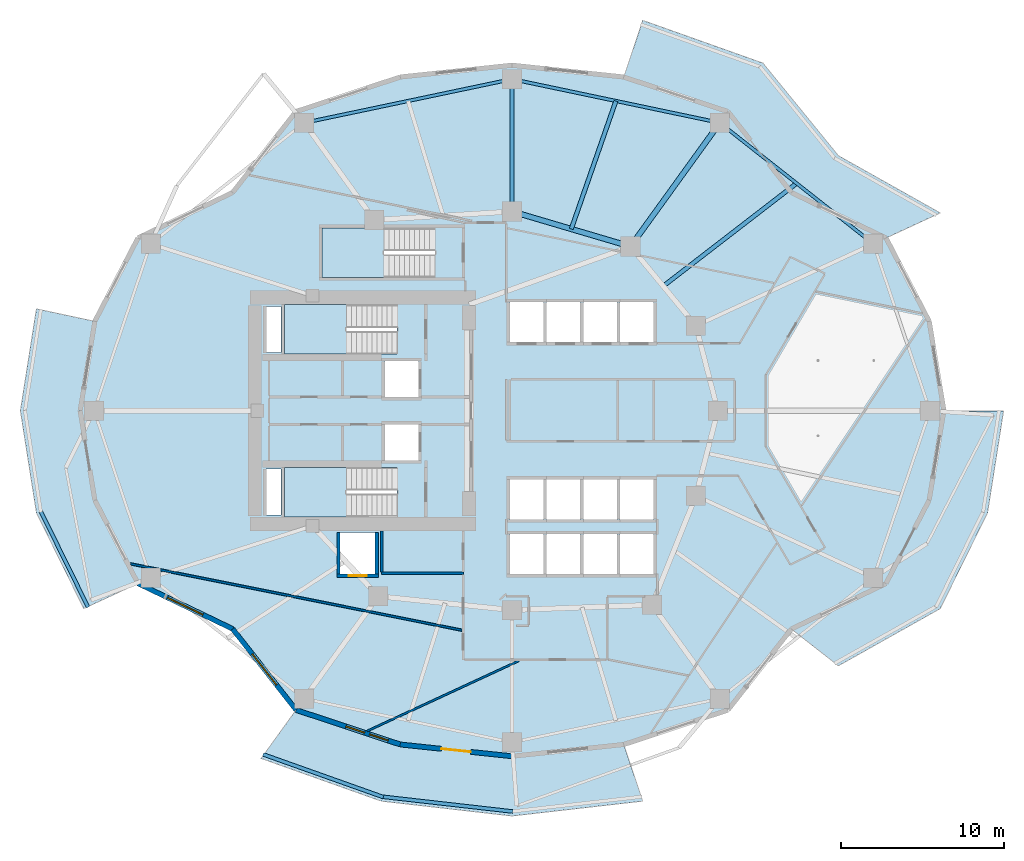
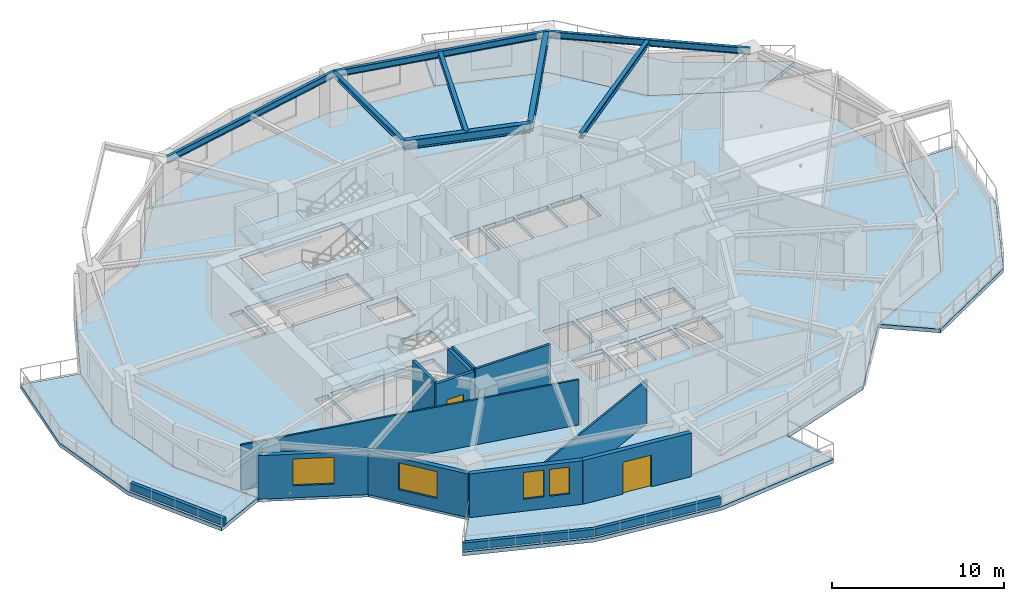
# One storey, part 2 of 14: 14 walls, 8 beams, 8 slabs, 4 windows, 2 doors, 6 openings, 3 elements without a shape of their own.
"""IFC4 building model written with IfcOpenShell, lengths in metres."""

from ifc_helpers import new_model, si_unit, direction, frame, frame_2d, origin, origin_2d, place, context, subcontext, project, spatial, polyline, rectangle, i_section, outline, extrude, material, layer, layer_set, material_profile, profile_set, type_object, element, fill, aggregate, save


model = new_model("IFC4")

# Units and contexts
model_context = context("Model", 3, precision=1e-05, world=origin(), true_north=direction((0.0, 1.0)))
body_context = subcontext(model_context, "Body", "Model", "MODEL_VIEW")
ifc_project = project(units=[si_unit("LENGTHUNIT", "METRE"), si_unit("AREAUNIT", "SQUARE_METRE"), si_unit("VOLUMEUNIT", "CUBIC_METRE"), si_unit("PLANEANGLEUNIT", "RADIAN"), si_unit("MASSUNIT", "GRAM", prefix="KILO")], contexts=[model_context])

# Site, building, storey
site_placement = place(None, origin())
site = spatial("IfcSite", under=ifc_project, at=site_placement, CompositionType="ELEMENT")
building_placement = place(site_placement, origin())
building = spatial("IfcBuilding", under=site, at=building_placement, Name="Kolvaren Gate Tower and Convention Centre", CompositionType="ELEMENT")
storey_placement = place(building_placement, frame((0.0, 0.0, 57.300048828125)))
storey = spatial("IfcBuildingStorey", under=building, at=storey_placement, Name="L13", CompositionType="ELEMENT", Elevation=57.300048828125)

# Beams
ifc_material_1 = material(Name="Structural steel ASTM A992 Grade 345 MPa", Category="steel")
ifc_material_profile_1 = material_profile(ifc_material_1, i_section(OverallWidth=0.327880859375, OverallDepth=0.6279296875, WebThickness=0.0166015625, FlangeThickness=0.027587890625, at=origin_2d()), Name="W610X217")
ifc_profile_set_1 = profile_set([ifc_material_profile_1], Name="Structural steel ASTM A992 Grade 345 MPa")
beam_type_1 = type_object("IfcBeamType", Name="STR-BM-W610X217", PredefinedType="BEAM", material=ifc_profile_set_1)
beam_1_placement = place(storey_placement, frame((37.381591796875, 37.054931640625, 3.255859375), z_axis=(-0.958980837827, 0.283470902706, 0.0), x_axis=(-0.283470902706, -0.958980837827, 0.0)))
element("IfcBeam", 1, at=beam_1_placement, inside=storey, type_object=beam_type_1, Name="Tower L13 Primary Ring Girder G-03", PredefinedType="BEAM", context=body_context, shape_type="SweptSolid", body=[
    extrude(i_section(OverallWidth=0.327880859375, OverallDepth=0.6279296875, WebThickness=0.0166015625, FlangeThickness=0.027587890625, at=origin_2d()), origin(), (0.0, 0.0, 1.0), 7.56689453125),
])
beam_2_placement = place(storey_placement, frame((37.381591796875, 37.054931640625, 3.255859375), z_axis=(0.585207971848, 0.810883240477, 0.0), x_axis=(-0.810883240477, 0.585207971848, 0.0)))
element("IfcBeam", 2, at=beam_2_placement, inside=storey, type_object=beam_type_1, Name="Tower L13 Radial Floor Girder RB-03", PredefinedType="BEAM", context=body_context, shape_type="SweptSolid", body=[
    extrude(i_section(OverallWidth=0.327880859375, OverallDepth=0.6279296875, WebThickness=0.0166015625, FlangeThickness=0.027587890625, at=origin_2d()), origin(), (0.0, 0.0, 1.0), 9.33837890625),
])
ifc_material_profile_2 = material_profile(ifc_material_1, i_section(OverallWidth=0.2548828125, OverallDepth=0.35693359375, WebThickness=0.010498046875, FlangeThickness=0.018310546875, at=origin_2d()), Name="W360X101")
ifc_profile_set_2 = profile_set([ifc_material_profile_2], Name="Structural steel ASTM A992 Grade 345 MPa")
beam_type_2 = type_object("IfcBeamType", Name="STR-JS-W360X101", PredefinedType="JOIST", material=ifc_profile_set_2)
beam_3_placement = place(storey_placement, frame((30.125, 39.199951171875, 3.391357421875), z_axis=(0.0, 1.0, 0.0), x_axis=(-1.0, 0.0, 0.0)))
element("IfcBeam", 3, at=beam_3_placement, inside=storey, type_object=beam_type_2, Name="Tower L13 Radial Floor Girder RB-04", PredefinedType="JOIST", context=body_context, shape_type="SweptSolid", body=[
    extrude(i_section(OverallWidth=0.2548828125, OverallDepth=0.35693359375, WebThickness=0.010498046875, FlangeThickness=0.018310546875, at=origin_2d()), origin(), (0.0, 0.0, 1.0), 8.10009765625),
])
beam_4_placement = place(storey_placement, frame((39.3818359375, 34.627197265625, 3.391357421875), z_axis=(0.791953664744, 0.610581192716, 0.0), x_axis=(-0.610581192716, 0.791953664744, 0.0)))
element("IfcBeam", 4, at=beam_4_placement, inside=storey, type_object=beam_type_2, Name="Tower L13 Secondary Composite Floor Joist J-02.1", PredefinedType="JOIST", context=body_context, shape_type="SweptSolid", body=[
    extrude(i_section(OverallWidth=0.2548828125, OverallDepth=0.35693359375, WebThickness=0.010498046875, FlangeThickness=0.018310546875, at=origin_2d()), origin(), (0.0, 0.0, 1.0), 10.31103515625),
])
beam_5_placement = place(storey_placement, frame((33.75341796875, 38.12744140625, 3.391357421875), z_axis=(0.329233693857, 0.944248470917, 0.0), x_axis=(-0.944248470917, 0.329233693857, 0.0)))
element("IfcBeam", 5, at=beam_5_placement, inside=storey, type_object=beam_type_2, Name="Tower L13 Secondary Composite Floor Joist J-03.1", PredefinedType="JOIST", context=body_context, shape_type="SweptSolid", body=[
    extrude(i_section(OverallWidth=0.2548828125, OverallDepth=0.35693359375, WebThickness=0.010498046875, FlangeThickness=0.018310546875, at=origin_2d()), origin(), (0.0, 0.0, 1.0), 8.298583984375),
])
ifc_material_profile_3 = material_profile(ifc_material_1, i_section(OverallWidth=0.194091796875, OverallDepth=0.468994140625, WebThickness=0.0126953125, FlangeThickness=0.0205078125, at=origin_2d()), Name="W460X106")
ifc_profile_set_3 = profile_set([ifc_material_profile_3], Name="Structural steel ASTM A992 Grade 345 MPa")
beam_type_3 = type_object("IfcBeamType", Name="STR-SP-W460X106", PredefinedType="SPANDREL", material=ifc_profile_set_3)
beam_6_placement = place(storey_placement, frame((52.248779296875, 37.218505859375, 3.33544921875), z_axis=(-0.785459824636, 0.618912646407, 0.0), x_axis=(-0.618912646407, -0.785459824636, 0.0)))
element("IfcBeam", 6, at=beam_6_placement, inside=storey, type_object=beam_type_3, Name="Tower L13 Perimeter Spandrel Beam SP-02", PredefinedType="SPANDREL", context=body_context, shape_type="SweptSolid", body=[
    extrude(i_section(OverallWidth=0.194091796875, OverallDepth=0.468994140625, WebThickness=0.0126953125, FlangeThickness=0.0205078125, at=origin_2d()), origin(), (0.0, 0.0, 1.0), 11.970458984375),
])
beam_7_placement = place(storey_placement, frame((42.846435546875, 44.627197265625, 3.33544921875), z_axis=(-0.978632602148, 0.205616706552, 0.0), x_axis=(-0.205616706552, -0.978632602148, 0.0)))
element("IfcBeam", 7, at=beam_7_placement, inside=storey, type_object=beam_type_3, Name="Tower L13 Perimeter Spandrel Beam SP-03", PredefinedType="SPANDREL", context=body_context, shape_type="SweptSolid", body=[
    extrude(i_section(OverallWidth=0.194091796875, OverallDepth=0.468994140625, WebThickness=0.0126953125, FlangeThickness=0.0205078125, at=origin_2d()), origin(), (0.0, 0.0, 1.0), 12.999267578125),
])
beam_8_placement = place(storey_placement, frame((30.125, 47.300048828125, 3.33544921875), z_axis=(-0.97863180809, -0.205620485836, 0.0), x_axis=(0.205620485836, -0.97863180809, 0.0)))
element("IfcBeam", 8, at=beam_8_placement, inside=storey, type_object=beam_type_3, Name="Tower L13 Perimeter Spandrel Beam SP-04", PredefinedType="SPANDREL", context=body_context, shape_type="SweptSolid", body=[
    extrude(i_section(OverallWidth=0.194091796875, OverallDepth=0.468994140625, WebThickness=0.0126953125, FlangeThickness=0.0205078125, at=origin_2d()), origin(), (0.0, 0.0, 1.0), 12.9990234375),
])

# Slabs
ifc_material_2 = material(Name="Concrete C50/60", Category="concrete")
ifc_layer_1 = layer(ifc_material_2, 0.27001953125)
ifc_layer_set_1 = layer_set([ifc_layer_1], Name="Concrete C50/60")
slab_type_1 = type_object("IfcSlabType", Name="STR-SL-BALC-270", PredefinedType="FLOOR", material=ifc_layer_set_1)
slab_1_placement = place(storey_placement, frame((0.0, 0.0, -0.27001953125)))
element("IfcSlab", 9, at=slab_1_placement, inside=storey, type_object=slab_type_1, Name="Tower L13 Planted Balcony Terrace Slab 1 (North)", PredefinedType="FLOOR", context=body_context, shape_type="SweptSolid", body=[
    extrude(outline(polyline([(53.0205078125, 37.574951171875), (47.223876953125, 40.360107421875), (43.34375, 45.31640625), (36.967529296875, 47.42919921875), (38.1298828125, 50.89990234375), (45.485595703125, 48.2841796875), (50.10791015625, 42.613525390625), (56.34326171875, 39.109619140625), (53.0205078125, 37.574951171875)])), origin(), (0.0, 0.0, 1.0), 0.27001953125),
])
slab_2_placement = place(storey_placement, frame((0.0, 0.0, -0.27001953125)))
element("IfcSlab", 10, at=slab_2_placement, inside=storey, type_object=slab_type_1, Name="Tower L13 Planted Balcony Terrace Slab 2 (West)", PredefinedType="FLOOR", context=body_context, shape_type="SweptSolid", body=[
    extrude(outline(polyline([(4.58837890625, 32.47412109375), (3.6875, 27.0), (4.58837890625, 21.52587890625), (7.2294921875, 16.425048828125), (3.90673828125, 14.890380859375), (1.009521484375, 20.7587890625), (0.027587890625, 27.0), (1.009521484375, 33.2412109375), (4.58837890625, 32.47412109375)])), origin(), (0.0, 0.0, 1.0), 0.27001953125),
])
slab_3_placement = place(storey_placement, frame((0.0, 0.0, -0.27001953125)))
element("IfcSlab", 11, at=slab_3_placement, inside=storey, type_object=slab_type_1, Name="Tower L13 Planted Balcony Terrace Slab 3 (South)", PredefinedType="FLOOR", context=body_context, shape_type="SweptSolid", body=[
    extrude(outline(polyline([(16.90625, 8.68359375), (23.282470703125, 6.57080078125), (30.125, 5.85009765625), (36.967529296875, 6.57080078125), (38.1298828125, 3.10009765625), (30.125, 2.18994140625), (22.1201171875, 3.10009765625), (14.764404296875, 5.7158203125), (16.90625, 8.68359375)])), origin(), (0.0, 0.0, 1.0), 0.27001953125),
])
slab_4_placement = place(storey_placement, frame((0.0, 0.0, -0.27001953125)))
element("IfcSlab", 12, at=slab_4_placement, inside=storey, type_object=slab_type_1, Name="Tower L13 Planted Balcony Terrace Slab 4 (East)", PredefinedType="FLOOR", context=body_context, shape_type="SweptSolid", body=[
    extrude(outline(polyline([(47.223876953125, 13.639892578125), (53.0205078125, 16.425048828125), (55.66162109375, 21.52587890625), (56.5625, 27.0), (60.222412109375, 27.0), (59.240478515625, 20.7587890625), (56.34326171875, 14.890380859375), (50.10791015625, 11.386474609375), (47.223876953125, 13.639892578125)])), origin(), (0.0, 0.0, 1.0), 0.27001953125),
])
ifc_layer_2 = layer(ifc_material_2, 0.280029296875)
ifc_layer_set_2 = layer_set([ifc_layer_2], Name="Concrete C50/60")
slab_type_2 = type_object("IfcSlabType", Name="STR-SL-FLR-280", PredefinedType="FLOOR", material=ifc_layer_set_2)
slab_5_placement = place(storey_placement, frame((0.0, 0.0, -0.280029296875)))
element("IfcSlab", 13, at=slab_5_placement, inside=storey, type_object=slab_type_2, Name="Tower L13 Structural Floor Slab", PredefinedType="FLOOR", context=body_context, shape_type="SweptSolid", body=[
    extrude(outline(polyline([(56.5625, 27.0), (55.66162109375, 32.47412109375), (53.0205078125, 37.574951171875), (47.223876953125, 40.360107421875), (43.34375, 45.31640625), (36.967529296875, 47.42919921875), (30.125, 48.14990234375), (23.282470703125, 47.42919921875), (16.90625, 45.31640625), (13.026123046875, 40.360107421875), (7.2294921875, 37.574951171875), (4.58837890625, 32.47412109375), (3.6875, 27.0), (4.58837890625, 21.52587890625), (7.2294921875, 16.425048828125), (13.026123046875, 13.639892578125), (16.90625, 8.68359375), (23.282470703125, 6.57080078125), (30.125, 5.85009765625), (36.967529296875, 6.57080078125), (43.34375, 8.68359375), (47.223876953125, 13.639892578125), (53.0205078125, 16.425048828125), (55.66162109375, 21.52587890625), (56.5625, 27.0)]), holes=[polyline([(36.75, 33.64990234375), (38.800048828125, 33.64990234375), (38.800048828125, 31.199951171875), (36.75, 31.199951171875), (36.75, 33.64990234375)]), polyline([(36.75, 20.35009765625), (36.75, 22.800048828125), (38.800048828125, 22.800048828125), (38.800048828125, 20.35009765625), (36.75, 20.35009765625)]), polyline([(36.75, 17.0), (36.75, 19.449951171875), (38.800048828125, 19.449951171875), (38.800048828125, 17.0), (36.75, 17.0)]), polyline([(34.5, 33.64990234375), (36.550048828125, 33.64990234375), (36.550048828125, 31.199951171875), (34.5, 31.199951171875), (34.5, 33.64990234375)]), polyline([(34.5, 22.800048828125), (36.550048828125, 22.800048828125), (36.550048828125, 20.35009765625), (34.5, 20.35009765625), (34.5, 22.800048828125)]), polyline([(34.5, 17.0), (34.5, 19.449951171875), (36.550048828125, 19.449951171875), (36.550048828125, 17.0), (34.5, 17.0)]), polyline([(32.25, 31.199951171875), (32.25, 33.64990234375), (34.300048828125, 33.64990234375), (34.300048828125, 31.199951171875), (32.25, 31.199951171875)]), polyline([(32.25, 22.800048828125), (34.300048828125, 22.800048828125), (34.300048828125, 20.35009765625), (32.25, 20.35009765625), (32.25, 22.800048828125)]), polyline([(32.25, 17.0), (32.25, 19.449951171875), (34.300048828125, 19.449951171875), (34.300048828125, 17.0), (32.25, 17.0)]), polyline([(30.0, 31.199951171875), (30.0, 33.64990234375), (32.050048828125, 33.64990234375), (32.050048828125, 31.199951171875), (30.0, 31.199951171875)]), polyline([(30.0, 20.35009765625), (30.0, 22.800048828125), (32.050048828125, 22.800048828125), (32.050048828125, 20.35009765625), (30.0, 20.35009765625)]), polyline([(30.0, 17.0), (30.0, 19.449951171875), (32.050048828125, 19.449951171875), (32.050048828125, 17.0), (30.0, 17.0)]), polyline([(25.39990234375, 35.159912109375), (18.5, 35.159912109375), (18.5, 38.199951171875), (25.39990234375, 38.199951171875), (25.39990234375, 35.159912109375)]), polyline([(22.35009765625, 27.840087890625), (22.35009765625, 30.0400390625), (24.39990234375, 30.0400390625), (24.39990234375, 27.840087890625), (22.35009765625, 27.840087890625)]), polyline([(22.35009765625, 23.9599609375), (22.35009765625, 26.159912109375), (24.39990234375, 26.159912109375), (24.39990234375, 23.9599609375), (22.35009765625, 23.9599609375)]), polyline([(23.10009765625, 30.4599609375), (16.199951171875, 30.4599609375), (16.199951171875, 33.5), (23.10009765625, 33.5), (23.10009765625, 30.4599609375)]), polyline([(23.10009765625, 20.5), (16.199951171875, 20.5), (16.199951171875, 23.5400390625), (23.10009765625, 23.5400390625), (23.10009765625, 20.5)]), polyline([(19.60009765625, 17.0), (19.60009765625, 19.550048828125), (21.75, 19.550048828125), (21.75, 17.0), (19.60009765625, 17.0)]), polyline([(15.080078125, 23.419921875), (15.969970703125, 23.419921875), (15.969970703125, 20.6298828125), (15.080078125, 20.6298828125), (15.080078125, 23.419921875)]), polyline([(15.080078125, 30.580078125), (15.080078125, 33.3701171875), (15.969970703125, 33.3701171875), (15.969970703125, 30.580078125), (15.080078125, 30.580078125)])]), origin(), (0.0, 0.0, 1.0), 0.280029296875),
])

# Stair, slab
stair_type = type_object("IfcStairType", Name="STR-STAIR-CORE", PredefinedType="HALF_TURN_STAIR", material=ifc_material_2)
stair_1_placement = place(storey_placement, origin())
stair_1 = element("IfcStair", 14, at=stair_1_placement, inside=storey, type_object=stair_type, Name="L13 Tower North Exit Stair ST-T1", PredefinedType="HALF_TURN_STAIR")
ifc_layer_3 = layer(ifc_material_2, 0.199951171875)
ifc_layer_set_3 = layer_set([ifc_layer_3], Name="Concrete C50/60")
slab_type_3 = type_object("IfcSlabType", Name="STR-SL-LAND-200", PredefinedType="LANDING", material=ifc_layer_set_3)
slab_6_placement = place(storey_placement, frame((0.0, 0.0, 1.724853515625)))
slab_6 = element("IfcSlab", 15, at=slab_6_placement, type_object=slab_type_3, Name="ST-T1 landing 1", PredefinedType="LANDING", context=body_context, shape_type="SweptSolid", body=[
    extrude(outline(polyline([(20.0, 33.5), (16.199951171875, 33.5), (16.199951171875, 30.4599609375), (20.0, 30.4599609375), (20.0, 33.5)])), origin(), (0.0, 0.0, 1.0), 0.2001953125),
])
aggregate(stair_1, [slab_6])

stair_2_placement = place(storey_placement, origin())
stair_2 = element("IfcStair", 16, at=stair_2_placement, inside=storey, type_object=stair_type, Name="L13 Tower South Exit Stair ST-T2", PredefinedType="HALF_TURN_STAIR")
slab_7_placement = place(storey_placement, frame((0.0, 0.0, 1.724853515625)))
slab_7 = element("IfcSlab", 17, at=slab_7_placement, type_object=slab_type_3, Name="ST-T2 landing 1", PredefinedType="LANDING", context=body_context, shape_type="SweptSolid", body=[
    extrude(outline(polyline([(20.0, 23.5400390625), (16.199951171875, 23.5400390625), (16.199951171875, 20.5), (20.0, 20.5), (20.0, 23.5400390625)])), origin(), (0.0, 0.0, 1.0), 0.2001953125),
])
aggregate(stair_2, [slab_7])

stair_3_placement = place(storey_placement, origin())
stair_3 = element("IfcStair", 18, at=stair_3_placement, inside=storey, type_object=stair_type, Name="L13 Tower Mid-Zone Exit Stair ST-T3", PredefinedType="HALF_TURN_STAIR")
slab_8_placement = place(storey_placement, frame((0.0, 0.0, 1.724853515625)))
slab_8 = element("IfcSlab", 19, at=slab_8_placement, type_object=slab_type_3, Name="ST-T3 landing 1", PredefinedType="LANDING", context=body_context, shape_type="SweptSolid", body=[
    extrude(outline(polyline([(22.300048828125, 38.199951171875), (18.5, 38.199951171875), (18.5, 35.159912109375), (22.300048828125, 35.159912109375), (22.300048828125, 38.199951171875)])), origin(), (0.0, 0.0, 1.0), 0.2001953125),
])
aggregate(stair_3, [slab_8])

# Walls
ifc_material_3 = material(Name="Fire-Rated Acoustic Gypsum Stud Partition", Category="gypsum")
ifc_layer_4 = layer(ifc_material_3, 0.1201171875)
ifc_layer_set_4 = layer_set([ifc_layer_4], Name="Fire-Rated Acoustic Gypsum Stud Partition")
wall_type_1 = type_object("IfcWallType", Name="ARCH-WL-PART-120", PredefinedType="PARTITIONING", material=ifc_layer_set_4)
wall_1_placement = place(storey_placement, frame((6.77734375, 17.62890625, 0.0), z_axis=(0.0, 0.0, 1.0), x_axis=(0.980522111168, -0.19640873074, 0.0)))
element("IfcWall", 20, at=wall_1_placement, inside=storey, type_object=wall_type_1, Name="Interior Partition WL-L13-INT-040", PredefinedType="PARTITIONING", context=body_context, shape_type="SweptSolid", body=[
    extrude(rectangle(XDim=20.69873046875, YDim=0.1201171875, at=frame_2d((10.349365234375, 0.0))), origin(), (0.0, 0.0, 1.0), 3.204833984375),
])
wall_2_placement = place(storey_placement, frame((21.2685546875, 7.398193359375, 0.0), z_axis=(0.0, 0.0, 1.0), x_axis=(0.907478047532, 0.420099503983, 0.0)))
element("IfcWall", 21, at=wall_2_placement, inside=storey, type_object=wall_type_1, Name="Interior Partition WL-L13-INT-042", PredefinedType="PARTITIONING", context=body_context, shape_type="SweptSolid", body=[
    extrude(rectangle(XDim=10.21142578125, YDim=0.1201171875, at=frame_2d((5.105712890625, 0.0))), origin(), (0.0, 0.0, 1.0), 3.093017578125),
])
ifc_material_4 = material(Name="Piedmont Cream Honed Limestone Cladding", Category="masonry")
ifc_layer_5 = layer(ifc_material_4, 0.219970703125)
ifc_layer_set_5 = layer_set([ifc_layer_5], Name="Piedmont Cream Honed Limestone Cladding")
wall_type_2 = type_object("IfcWallType", Name="ARCH-WL-PLANTER-220", PredefinedType="PARAPET", material=ifc_layer_set_5)
wall_3_placement = place(storey_placement, frame((1.275390625, 20.846923828125, 0.0), z_axis=(0.0, 0.0, 1.0), x_axis=(0.442686636348, -0.89667638644, 0.0)))
element("IfcWall", 22, at=wall_3_placement, inside=storey, type_object=wall_type_2, Name="Vertical-Forest Balcony Stone Planter Kerb PK-L13-2.3", PredefinedType="PARAPET", context=body_context, shape_type="SweptSolid", body=[
    extrude(rectangle(XDim=6.544677734375, YDim=0.219970703125, at=frame_2d((3.2724609375, 0.0))), origin(), (0.0, 0.0, 1.0), 0.52001953125),
])
wall_4_placement = place(storey_placement, frame((14.892822265625, 5.964599609375, 0.0), z_axis=(0.0, 0.0, 1.0), x_axis=(0.942203722205, -0.335040513764, 0.0)))
element("IfcWall", 23, at=wall_4_placement, inside=storey, type_object=wall_type_2, Name="Vertical-Forest Balcony Stone Planter Kerb PK-L13-3.1", PredefinedType="PARAPET", context=body_context, shape_type="SweptSolid", body=[
    extrude(rectangle(XDim=7.80712890625, YDim=0.219970703125, at=frame_2d((3.903564453125, 0.0))), origin(), (0.0, 0.0, 1.0), 0.52001953125),
])
wall_5_placement = place(storey_placement, frame((22.16552734375, 3.37646484375, 0.0), z_axis=(0.0, 0.0, 1.0), x_axis=(0.993598144351, -0.112972242349, 0.0)))
element("IfcWall", 24, at=wall_5_placement, inside=storey, type_object=wall_type_2, Name="Vertical-Forest Balcony Stone Planter Kerb PK-L13-3.2", PredefinedType="PARAPET", context=body_context, shape_type="SweptSolid", body=[
    extrude(rectangle(XDim=8.056396484375, YDim=0.219970703125, at=frame_2d((4.0283203125, 0.0))), origin(), (0.0, 0.0, 1.0), 0.52001953125),
])

# Wall, opening, door
ifc_material_5 = material(Name="Autoclaved Aerated Masonry Blockwork Class 4 (4.0 MPa)", Category="masonry")
ifc_layer_6 = layer(ifc_material_5, 0.199951171875)
ifc_layer_set_6 = layer_set([ifc_layer_6], Name="Autoclaved Aerated Masonry Blockwork Class 4 (4.0 MPa)")
wall_type_3 = type_object("IfcWallType", Name="ARCH-WL-SHAFT-200", PredefinedType="SOLIDWALL", material=ifc_layer_set_6)
wall_6_placement = place(storey_placement, frame((19.39990234375, 16.89990234375, 0.0), z_axis=(0.0, 0.0, 1.0), x_axis=(1.0, 0.0, 0.0)))
wall_6 = element("IfcWall", 25, at=wall_6_placement, inside=storey, type_object=wall_type_3, Name="Elevator SV-01 L13 Fire Shaft Wall S", PredefinedType="SOLIDWALL", context=body_context, shape_type="SweptSolid", body=[
    extrude(rectangle(XDim=2.550048828125, YDim=0.199951171875, at=frame_2d((1.27490234375, 0.0))), origin(), (0.0, 0.0, 1.0), 3.570068359375),
])
opening_1_placement = place(wall_6_placement, frame((0.72509765625, 0.0, 0.0)))
opening_1 = element("IfcOpeningElement", 26, at=opening_1_placement, cuts=wall_6, Name="Opening LD", PredefinedType="OPENING", context=body_context, shape_type="SweptSolid", body=[
    extrude(rectangle(XDim=1.10009765625, YDim=2.199951171875, at=frame_2d((0.550048828125, 1.10009765625))), frame((0.0, 0.10986328125, 0.0), z_axis=(0.0, -1.0, 0.0), x_axis=(1.0, 0.0, 0.0)), (0.0, 0.0, 1.0), 0.219970703125),
])
ifc_material_6 = material(Name="Brushed Stainless Steel Grade 316L", Category="steel")
door_type_1 = type_object("IfcDoorType", Name="ARCH-DR-LIFT-1100", OperationType="SLIDING_TO_LEFT", PredefinedType="DOOR", material=ifc_material_6)
door_1_placement = place(opening_1_placement, origin())
door_1 = element("IfcDoor", 27, at=door_1_placement, inside=storey, type_object=door_type_1, Name="Elevator SV-01 L13 Sliding Landing Door", OperationType="SLIDING_TO_LEFT", OverallHeight=2.199951171875, OverallWidth=1.10009765625, PredefinedType="DOOR", context=body_context, shape_type="SweptSolid", body=[
    extrude(rectangle(XDim=1.10009765625, YDim=2.199951171875, at=frame_2d((0.550048828125, 1.10009765625))), frame((0.0, 0.02490234375, 0.0), z_axis=(0.0, -1.0, 0.0), x_axis=(1.0, 0.0, 0.0)), (0.0, 0.0, 1.0), 0.050048828125),
])
fill(opening_1, door_1)

# Walls
for number, where, z_axis, x_axis, name in (
    (28, (19.5, 17.010009765625, 0.0), (0.0, 0.0, 1.0), (0.0, 1.0, 0.0), "Elevator SV-01 L13 Fire Shaft Wall W"),
    (29, (21.85009765625, 17.010009765625, 0.0), (0.0, 0.0, 1.0), (0.0, 1.0, 0.0), "Elevator SV-01 L13 Fire Shaft Wall E"),
):
    element("IfcWall", number, at=place(storey_placement, frame(where, z_axis=z_axis, x_axis=x_axis)), inside=storey, type_object=wall_type_3, Name=name, PredefinedType="SOLIDWALL", context=body_context, shape_type="SweptSolid", body=[
        extrude(rectangle(XDim=2.530029296875, YDim=0.199951171875, at=frame_2d((1.26513671875, 0.0))), origin(), (0.0, 0.0, 1.0), 3.570068359375),
    ])

# Wall, opening, window
ifc_layer_7 = layer(ifc_material_4, 0.300048828125)
ifc_layer_set_7 = layer_set([ifc_layer_7], Name="Piedmont Cream Honed Limestone Cladding")
wall_type_4 = type_object("IfcWallType", Name="ARCH-WL-STONE-300", PredefinedType="SOLIDWALL", material=ifc_layer_set_7)
wall_7_placement = place(storey_placement, frame((7.2294921875, 16.425048828125, 0.0), z_axis=(0.0, 0.0, 1.0), x_axis=(0.901354747727, -0.433081538224, 0.0)))
wall_7 = element("IfcWall", 30, at=wall_7_placement, inside=storey, type_object=wall_type_4, Name="Tower L13 Honed Stone Spandrel Wall EW-14", PredefinedType="SOLIDWALL", context=body_context, shape_type="SweptSolid", body=[
    extrude(rectangle(XDim=6.430908203125, YDim=0.300048828125, at=frame_2d((3.21533203125, 0.0))), origin(), (0.0, 0.0, 1.0), 3.093017578125),
])
opening_2_placement = place(wall_7_placement, frame((2.014892578125, 0.0, 0.85009765625)))
opening_2 = element("IfcOpeningElement", 31, at=opening_2_placement, cuts=wall_7, Name="Opening W-01", PredefinedType="OPENING", context=body_context, shape_type="SweptSolid", body=[
    extrude(rectangle(XDim=2.39990234375, YDim=1.89990234375, at=frame_2d((1.199951171875, 0.949951171875))), frame((0.0, 0.159912109375, 0.0), z_axis=(0.0, -1.0, 0.0), x_axis=(1.0, 0.0, 0.0)), (0.0, 0.0, 1.0), 0.320068359375),
])
ifc_material_7 = material(Name="Low-E Triple Insulated Glazing Unit 44 mm", Category="glass")
window_type_1 = type_object("IfcWindowType", Name="ARCH-WN-OFF-2400", PartitioningType="SINGLE_PANEL", PredefinedType="WINDOW", material=ifc_material_7)
window_1_placement = place(opening_2_placement, origin())
window_1 = element("IfcWindow", 32, at=window_1_placement, inside=storey, type_object=window_type_1, Name="Tower L13 Punched Stone Facade Window W-14", OverallHeight=1.89990234375, OverallWidth=2.39990234375, PartitioningType="SINGLE_PANEL", PredefinedType="WINDOW", context=body_context, shape_type="SweptSolid", body=[
    extrude(rectangle(XDim=2.39990234375, YDim=1.89990234375, at=frame_2d((1.199951171875, 0.949951171875))), frame((0.0, 0.030029296875, 0.0), z_axis=(0.0, -1.0, 0.0), x_axis=(1.0, 0.0, 0.0)), (0.0, 0.0, 1.0), 0.06005859375),
])
fill(opening_2, window_1)

wall_8_placement = place(storey_placement, frame((13.026123046875, 13.639892578125, 0.0), z_axis=(0.0, 0.0, 1.0), x_axis=(0.616434798832, -0.78740595552, 0.0)))
wall_8 = element("IfcWall", 33, at=wall_8_placement, inside=storey, type_object=wall_type_4, Name="Tower L13 Honed Stone Spandrel Wall EW-15", PredefinedType="SOLIDWALL", context=body_context, shape_type="SweptSolid", body=[
    extrude(rectangle(XDim=6.29443359375, YDim=0.300048828125, at=frame_2d((3.147216796875, 0.0))), origin(), (0.0, 0.0, 1.0), 3.093017578125),
])
opening_3_placement = place(wall_8_placement, frame((1.947021484375, 0.0, 0.85009765625)))
opening_3 = element("IfcOpeningElement", 34, at=opening_3_placement, cuts=wall_8, Name="Opening W-01", PredefinedType="OPENING", context=body_context, shape_type="SweptSolid", body=[
    extrude(rectangle(XDim=2.39990234375, YDim=1.89990234375, at=frame_2d((1.199951171875, 0.949951171875))), frame((0.0, 0.159912109375, 0.0), z_axis=(0.0, -1.0, 0.0), x_axis=(1.0, 0.0, 0.0)), (0.0, 0.0, 1.0), 0.320068359375),
])
window_2_placement = place(opening_3_placement, origin())
window_2 = element("IfcWindow", 35, at=window_2_placement, inside=storey, type_object=window_type_1, Name="Tower L13 Punched Stone Facade Window W-15", OverallHeight=1.89990234375, OverallWidth=2.39990234375, PartitioningType="SINGLE_PANEL", PredefinedType="WINDOW", context=body_context, shape_type="SweptSolid", body=[
    extrude(rectangle(XDim=2.39990234375, YDim=1.89990234375, at=frame_2d((1.199951171875, 0.949951171875))), frame((0.0, 0.030029296875, 0.0), z_axis=(0.0, -1.0, 0.0), x_axis=(1.0, 0.0, 0.0)), (0.0, 0.0, 1.0), 0.06005859375),
])
fill(opening_3, window_2)

# Wall, openings, windows
wall_9_placement = place(storey_placement, frame((16.90625, 8.68359375, 0.0), z_axis=(0.0, 0.0, 1.0), x_axis=(0.949245153629, -0.314537181127, 0.0)))
wall_9 = element("IfcWall", 36, at=wall_9_placement, inside=storey, type_object=wall_type_4, Name="Tower L13 Honed Stone Spandrel Wall EW-16", PredefinedType="SOLIDWALL", context=body_context, shape_type="SweptSolid", body=[
    extrude(rectangle(XDim=6.717041015625, YDim=0.300048828125, at=frame_2d((3.3583984375, 0.0))), origin(), (0.0, 0.0, 1.0), 3.093017578125),
])
opening_4_placement = place(wall_9_placement, frame((3.21533203125, 0.0, 0.85009765625)))
opening_4 = element("IfcOpeningElement", 37, at=opening_4_placement, cuts=wall_9, Name="Opening W-04", PredefinedType="OPENING", context=body_context, shape_type="SweptSolid", body=[
    extrude(rectangle(XDim=1.199951171875, YDim=1.89990234375, at=frame_2d((0.60009765625, 0.949951171875))), frame((0.0, 0.159912109375, 0.0), z_axis=(0.0, -1.0, 0.0), x_axis=(1.0, 0.0, 0.0)), (0.0, 0.0, 1.0), 0.320068359375),
])
opening_5_placement = place(wall_9_placement, frame((4.742431640625, 0.0, 0.85009765625)))
opening_5 = element("IfcOpeningElement", 38, at=opening_5_placement, cuts=wall_9, Name="Opening W-04", PredefinedType="OPENING", context=body_context, shape_type="SweptSolid", body=[
    extrude(rectangle(XDim=1.199951171875, YDim=1.89990234375, at=frame_2d((0.60009765625, 0.949951171875))), frame((0.0, 0.159912109375, 0.0), z_axis=(0.0, -1.0, 0.0), x_axis=(1.0, 0.0, 0.0)), (0.0, 0.0, 1.0), 0.320068359375),
])
window_type_2 = type_object("IfcWindowType", Name="ARCH-WN-NARROW-1200", PartitioningType="SINGLE_PANEL", PredefinedType="WINDOW", material=ifc_material_7)
window_3_placement = place(opening_4_placement, origin())
window_3 = element("IfcWindow", 39, at=window_3_placement, inside=storey, type_object=window_type_2, Name="Tower L13 Punched Stone Facade Window W-16", OverallHeight=1.89990234375, OverallWidth=1.199951171875, PartitioningType="SINGLE_PANEL", PredefinedType="WINDOW", context=body_context, shape_type="SweptSolid", body=[
    extrude(rectangle(XDim=1.199951171875, YDim=1.89990234375, at=frame_2d((0.60009765625, 0.949951171875))), frame((0.0, 0.030029296875, 0.0), z_axis=(0.0, -1.0, 0.0), x_axis=(1.0, 0.0, 0.0)), (0.0, 0.0, 1.0), 0.06005859375),
])
fill(opening_4, window_3)
window_4_placement = place(opening_5_placement, origin())
window_4 = element("IfcWindow", 40, at=window_4_placement, inside=storey, type_object=window_type_2, Name="Tower L13 Punched Stone Facade Window W-16B", OverallHeight=1.89990234375, OverallWidth=1.199951171875, PartitioningType="SINGLE_PANEL", PredefinedType="WINDOW", context=body_context, shape_type="SweptSolid", body=[
    extrude(rectangle(XDim=1.199951171875, YDim=1.89990234375, at=frame_2d((0.60009765625, 0.949951171875))), frame((0.0, 0.030029296875, 0.0), z_axis=(0.0, -1.0, 0.0), x_axis=(1.0, 0.0, 0.0)), (0.0, 0.0, 1.0), 0.06005859375),
])
fill(opening_5, window_4)

# Wall, opening, door
wall_10_placement = place(storey_placement, frame((23.282470703125, 6.57080078125, 0.0), z_axis=(0.0, 0.0, 1.0), x_axis=(0.994498840295, -0.104747585419, 0.0)))
wall_10 = element("IfcWall", 41, at=wall_10_placement, inside=storey, type_object=wall_type_4, Name="Tower L13 Honed Stone Spandrel Wall EW-17", PredefinedType="SOLIDWALL", context=body_context, shape_type="SweptSolid", body=[
    extrude(rectangle(XDim=6.88037109375, YDim=0.300048828125, at=frame_2d((3.440185546875, 0.0))), origin(), (0.0, 0.0, 1.0), 3.093017578125),
])
opening_6_placement = place(wall_10_placement, frame((2.5400390625, 0.0, 0.0)))
opening_6 = element("IfcOpeningElement", 42, at=opening_6_placement, cuts=wall_10, Name="Opening DB-01", PredefinedType="OPENING", context=body_context, shape_type="SweptSolid", body=[
    extrude(rectangle(XDim=1.800048828125, YDim=2.25, at=frame_2d((0.89990234375, 1.125))), frame((0.0, 0.159912109375, 0.0), z_axis=(0.0, -1.0, 0.0), x_axis=(1.0, 0.0, 0.0)), (0.0, 0.0, 1.0), 0.320068359375),
])
ifc_material_8 = material(Name="Anodized Architectural Aluminium Alloy 6063-T6", Category="aluminium")
door_type_2 = type_object("IfcDoorType", Name="ARCH-DR-BALC-1800", OperationType="SLIDING_TO_LEFT", PredefinedType="DOOR", material=ifc_material_8)
door_2_placement = place(opening_6_placement, frame((1.800048828125, 0.0, 0.0), z_axis=(0.0, 0.0, 1.0), x_axis=(-1.0, 0.0, 0.0)))
door_2 = element("IfcDoor", 43, at=door_2_placement, inside=storey, type_object=door_type_2, Name="Planted Sky Terrace Access Door DB-L13-17", OperationType="SLIDING_TO_LEFT", OverallHeight=2.25, OverallWidth=1.800048828125, PredefinedType="DOOR", context=body_context, shape_type="SweptSolid", body=[
    extrude(rectangle(XDim=1.800048828125, YDim=2.25, at=frame_2d((0.89990234375, 1.125))), frame((0.0, 0.02490234375, 0.0), z_axis=(0.0, -1.0, 0.0), x_axis=(1.0, 0.0, 0.0)), (0.0, 0.0, 1.0), 0.050048828125),
])
fill(opening_6, door_2)

# Walls
ifc_material_9 = material(Name="Moisture-Resistant Cement-Board Acoustic Partition", Category="gypsum")
ifc_layer_8 = layer(ifc_material_9, 0.14990234375)
ifc_layer_set_8 = layer_set([ifc_layer_8], Name="Moisture-Resistant Cement-Board Acoustic Partition")
wall_type_5 = type_object("IfcWallType", Name="ARCH-WL-WET-150", PredefinedType="PARTITIONING", material=ifc_layer_set_8)
wall_11_placement = place(storey_placement, frame((22.14990234375, 17.050048828125, 0.0), z_axis=(0.0, 0.0, 1.0), x_axis=(1.0, 0.0, 0.0)))
element("IfcWall", 44, at=wall_11_placement, inside=storey, type_object=wall_type_5, Name="Interior Partition WL-L13-INT-009", PredefinedType="PARTITIONING", context=body_context, shape_type="SweptSolid", body=[
    extrude(rectangle(XDim=5.0, YDim=0.14990234375, at=frame_2d((2.5, 0.0))), origin(), (0.0, 0.0, 1.0), 3.570068359375),
])
wall_12_placement = place(storey_placement, frame((22.14990234375, 17.126953125, 0.0), z_axis=(0.0, 0.0, 1.0), x_axis=(0.0, 1.0, 0.0)))
element("IfcWall", 45, at=wall_12_placement, inside=storey, type_object=wall_type_5, Name="Interior Partition WL-L13-INT-010", PredefinedType="PARTITIONING", context=body_context, shape_type="SweptSolid", body=[
    extrude(rectangle(XDim=2.52099609375, YDim=0.14990234375, at=frame_2d((1.260498046875, 0.0))), origin(), (0.0, 0.0, 1.0), 3.570068359375),
])

save(model, "model.ifc")
